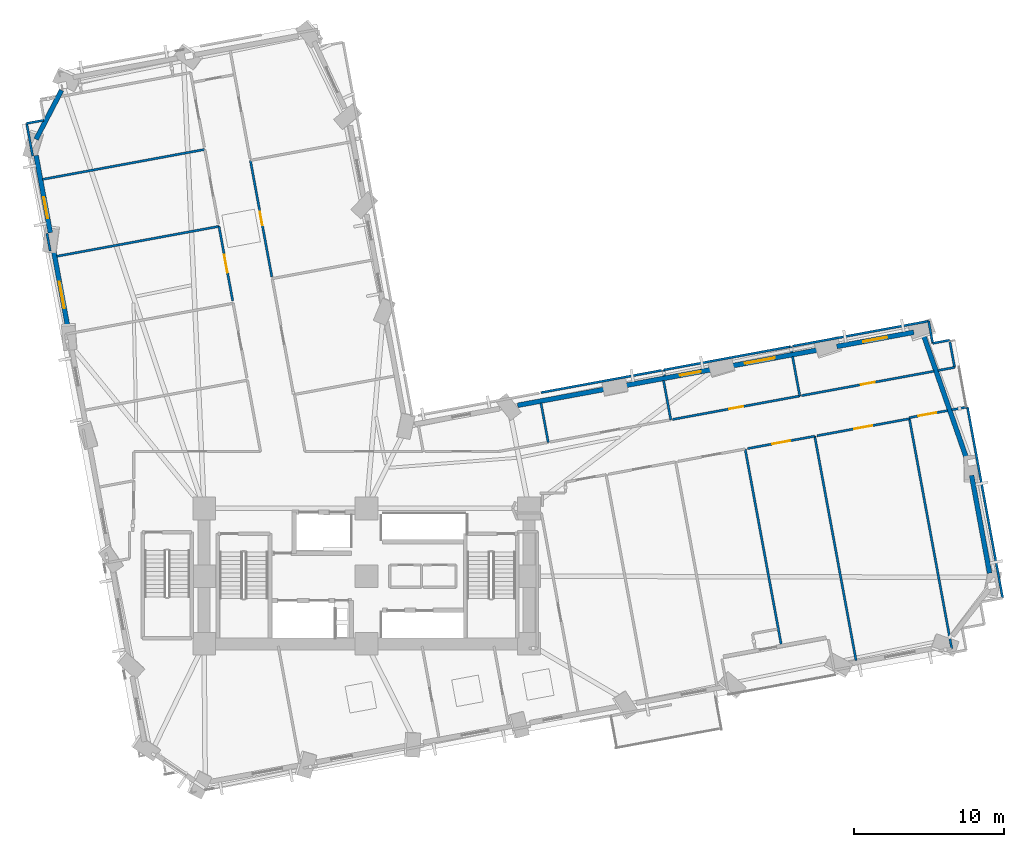
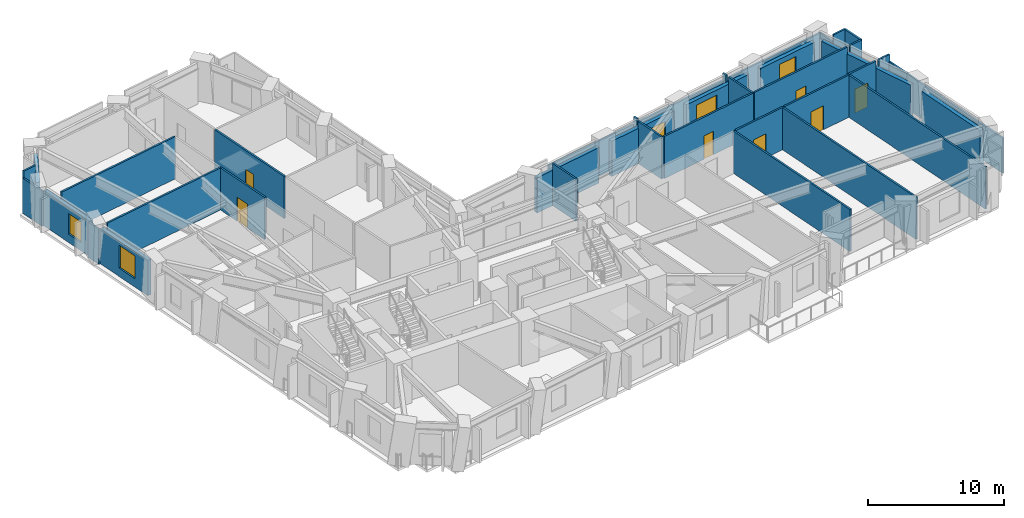
# One storey, part 10 of 16: 38 walls, 7 doors, 5 windows, 12 openings.
"""IFC4 building model written with IfcOpenShell, lengths in metres."""

from ifc_helpers import new_model, si_unit, direction, frame, frame_2d, origin, place, context, subcontext, project, spatial, rectangle, extrude, material, layer, layer_set, type_object, element, fill, save


model = new_model("IFC4")

# Units and contexts
model_context = context("Model", 3, precision=1e-05, world=origin(), true_north=direction((0.0, 1.0)))
body_context = subcontext(model_context, "Body", "Model", "MODEL_VIEW")
ifc_project = project(units=[si_unit("LENGTHUNIT", "METRE"), si_unit("AREAUNIT", "SQUARE_METRE"), si_unit("VOLUMEUNIT", "CUBIC_METRE"), si_unit("PLANEANGLEUNIT", "RADIAN"), si_unit("MASSUNIT", "GRAM", prefix="KILO")], contexts=[model_context])

# Site, building, storey
site_placement = place(None, origin())
site = spatial("IfcSite", under=ifc_project, at=site_placement, CompositionType="ELEMENT")
building_placement = place(site_placement, origin())
building = spatial("IfcBuilding", under=site, at=building_placement, Name="Gaonmaruhae Medical Tower", CompositionType="ELEMENT")
storey_placement = place(building_placement, frame((0.0, 0.0, 67.0)))
storey = spatial("IfcBuildingStorey", under=building, at=storey_placement, Name="L15", CompositionType="ELEMENT", Elevation=67.0)

# Walls
ifc_material_1 = material(Name="Precast concrete C45/55", Category="concrete")
ifc_layer_1 = layer(ifc_material_1, 0.320068359375)
ifc_layer_set_1 = layer_set([ifc_layer_1], Name="Precast concrete C45/55")
wall_type_1 = type_object("IfcWallType", Name="EW-320 Lower Precast Masonry-Frame Facade Wall", PredefinedType="SOLIDWALL", material=ifc_layer_set_1)
wall_1_placement = place(storey_placement, frame((65.023193359375, 19.000244140625, 0.0), z_axis=(0.0, 0.0, 1.0), x_axis=(0.181377690028, -0.983413510971, 0.0)))
element("IfcWall", 1, at=wall_1_placement, inside=storey, type_object=wall_type_1, Name="L15 Precast Masonry-Frame Wall E01-E02", PredefinedType="SOLIDWALL", context=body_context, shape_type="SweptSolid", body=[
    extrude(rectangle(XDim=6.6103515625, YDim=0.320068359375, at=frame_2d((3.30517578125, 0.0))), origin(), (0.0, 0.0, 1.0), 3.1650390625),
])
wall_2_placement = place(storey_placement, frame((61.848388671875, 28.260009765625, 0.0), z_axis=(0.0, 0.0, 1.0), x_axis=(0.329546090906, -0.944139488618, 0.0)))
element("IfcWall", 2, at=wall_2_placement, inside=storey, type_object=wall_type_1, Name="L15 Precast Masonry-Frame Wall E02-E03", PredefinedType="SOLIDWALL", context=body_context, shape_type="SweptSolid", body=[
    extrude(rectangle(XDim=8.61376953125, YDim=0.320068359375, at=frame_2d((4.306884765625, 0.0))), origin(), (0.0, 0.0, 1.0), 3.1650390625),
])

# Wall, opening, window
wall_3_placement = place(storey_placement, frame((56.059814453125, 27.569580078125, 0.0), z_axis=(0.0, 0.0, 1.0), x_axis=(0.983413832145, 0.181375948644, 0.0)))
wall_3 = element("IfcWall", 3, at=wall_3_placement, inside=storey, type_object=wall_type_1, Name="L15 Precast Masonry-Frame Wall E03-EN01", PredefinedType="SOLIDWALL", context=body_context, shape_type="SweptSolid", body=[
    extrude(rectangle(XDim=5.209228515625, YDim=0.320068359375, at=frame_2d((2.6044921875, 0.0))), origin(), (0.0, 0.0, 1.0), 3.1650390625),
])
opening_1_placement = place(wall_3_placement, frame((1.800048828125, 0.0, 0.75)))
opening_1 = element("IfcOpeningElement", 4, at=opening_1_placement, cuts=wall_3, Name="Opening WN-01", PredefinedType="OPENING", context=body_context, shape_type="SweptSolid", body=[
    extrude(rectangle(XDim=1.60009765625, YDim=1.949951171875, at=frame_2d((0.800048828125, 0.97509765625))), frame((0.0, 0.169921875, 0.0), z_axis=(0.0, -1.0, 0.0), x_axis=(1.0, 0.0, 0.0)), (0.0, 0.0, 1.0), 0.340087890625),
])
ifc_material_2 = material(Name="Anodised aluminium and Low-E double glazing", Category="aluminium")
window_type_1 = type_object("IfcWindowType", Name="WN-01 Ward Punched Acoustic Window 1600x1950", PartitioningType="SINGLE_PANEL", PredefinedType="WINDOW", material=ifc_material_2)
window_1_placement = place(opening_1_placement, origin())
window_1 = element("IfcWindow", 5, at=window_1_placement, inside=storey, type_object=window_type_1, Name="L15 Modular Facade Window E03", OverallHeight=1.949951171875, OverallWidth=1.60009765625, PartitioningType="SINGLE_PANEL", PredefinedType="WINDOW", context=body_context, shape_type="SweptSolid", body=[
    extrude(rectangle(XDim=1.60009765625, YDim=1.949951171875, at=frame_2d((0.800048828125, 0.97509765625))), frame((0.0, 0.030029296875, 0.0), z_axis=(0.0, -1.0, 0.0), x_axis=(1.0, 0.0, 0.0)), (0.0, 0.0, 1.0), 0.06005859375),
])
fill(opening_1, window_1)

wall_4_placement = place(storey_placement, frame((48.994873046875, 26.2666015625, 0.0), z_axis=(0.0, 0.0, 1.0), x_axis=(0.983410218869, 0.1813955386, 0.0)))
wall_4 = element("IfcWall", 6, at=wall_4_placement, inside=storey, type_object=wall_type_1, Name="L15 Precast Masonry-Frame Wall EN01-EN02", PredefinedType="SOLIDWALL", context=body_context, shape_type="SweptSolid", body=[
    extrude(rectangle(XDim=6.024169921875, YDim=0.320068359375, at=frame_2d((3.01220703125, 0.0))), origin(), (0.0, 0.0, 1.0), 3.1650390625),
])
opening_2_placement = place(wall_4_placement, frame((0.98291015625, 0.0, 0.75)))
opening_2 = element("IfcOpeningElement", 7, at=opening_2_placement, cuts=wall_4, Name="Opening WN-02", PredefinedType="OPENING", context=body_context, shape_type="SweptSolid", body=[
    extrude(rectangle(XDim=2.0, YDim=1.949951171875, at=frame_2d((1.0, 0.97509765625))), frame((0.0, 0.169921875, 0.0), z_axis=(0.0, -1.0, 0.0), x_axis=(1.0, 0.0, 0.0)), (0.0, 0.0, 1.0), 0.340087890625),
])
window_type_2 = type_object("IfcWindowType", Name="WN-02 Double-Bed Ward Punched Window 2000x1950", PartitioningType="SINGLE_PANEL", PredefinedType="WINDOW", material=ifc_material_2)
window_2_placement = place(opening_2_placement, origin())
window_2 = element("IfcWindow", 8, at=window_2_placement, inside=storey, type_object=window_type_2, Name="L15 Modular Facade Window EN01", OverallHeight=1.949951171875, OverallWidth=2.0, PartitioningType="SINGLE_PANEL", PredefinedType="WINDOW", context=body_context, shape_type="SweptSolid", body=[
    extrude(rectangle(XDim=2.0, YDim=1.949951171875, at=frame_2d((1.0, 0.97509765625))), frame((0.0, 0.030029296875, 0.0), z_axis=(0.0, -1.0, 0.0), x_axis=(1.0, 0.0, 0.0)), (0.0, 0.0, 1.0), 0.06005859375),
])
fill(opening_2, window_2)

wall_5_placement = place(storey_placement, frame((41.923828125, 24.96240234375, 0.0), z_axis=(0.0, 0.0, 1.0), x_axis=(0.983415582056, 0.181366460431, 0.0)))
wall_5 = element("IfcWall", 9, at=wall_5_placement, inside=storey, type_object=wall_type_1, Name="L15 Precast Masonry-Frame Wall EN02-EN03", PredefinedType="SOLIDWALL", context=body_context, shape_type="SweptSolid", body=[
    extrude(rectangle(XDim=5.999755859375, YDim=0.320068359375, at=frame_2d((3.0, 0.0))), origin(), (0.0, 0.0, 1.0), 3.1650390625),
])
opening_3_placement = place(wall_5_placement, frame((3.782470703125, 0.0, 0.75)))
opening_3 = element("IfcOpeningElement", 10, at=opening_3_placement, cuts=wall_5, Name="Opening WN-03", PredefinedType="OPENING", context=body_context, shape_type="SweptSolid", body=[
    extrude(rectangle(XDim=1.39990234375, YDim=1.85009765625, at=frame_2d((0.699951171875, 0.925048828125))), frame((0.0, 0.169921875, 0.0), z_axis=(0.0, -1.0, 0.0), x_axis=(1.0, 0.0, 0.0)), (0.0, 0.0, 1.0), 0.340087890625),
])
window_type_3 = type_object("IfcWindowType", Name="WN-03 Isolation Ward Punched Window 1400x1850", PartitioningType="SINGLE_PANEL", PredefinedType="WINDOW", material=ifc_material_2)
window_3_placement = place(opening_3_placement, origin())
window_3 = element("IfcWindow", 11, at=window_3_placement, inside=storey, type_object=window_type_3, Name="L15 Modular Facade Window EN02", OverallHeight=1.85009765625, OverallWidth=1.39990234375, PartitioningType="SINGLE_PANEL", PredefinedType="WINDOW", context=body_context, shape_type="SweptSolid", body=[
    extrude(rectangle(XDim=1.39990234375, YDim=1.85009765625, at=frame_2d((0.699951171875, 0.925048828125))), frame((0.0, 0.030029296875, 0.0), z_axis=(0.0, -1.0, 0.0), x_axis=(1.0, 0.0, 0.0)), (0.0, 0.0, 1.0), 0.06005859375),
])
fill(opening_3, window_3)

# Walls
wall_6_placement = place(storey_placement, frame((34.846923828125, 23.6572265625, 0.0), z_axis=(0.0, 0.0, 1.0), x_axis=(0.983412631361, 0.181382459127, 0.0)))
element("IfcWall", 12, at=wall_6_placement, inside=storey, type_object=wall_type_1, Name="L15 Precast Masonry-Frame Wall EN03-EN04", PredefinedType="SOLIDWALL", context=body_context, shape_type="SweptSolid", body=[
    extrude(rectangle(XDim=5.987060546875, YDim=0.320068359375, at=frame_2d((2.99365234375, 0.0))), origin(), (0.0, 0.0, 1.0), 3.1650390625),
])
wall_7_placement = place(storey_placement, frame((2.83447265625, 41.34521484375, 0.0), z_axis=(0.0, 0.0, 1.0), x_axis=(0.461354833391, 0.887215710922, 0.0)))
element("IfcWall", 13, at=wall_7_placement, inside=storey, type_object=wall_type_1, Name="L15 Precast Masonry-Frame Wall N03-W01", PredefinedType="SOLIDWALL", context=body_context, shape_type="SweptSolid", body=[
    extrude(rectangle(XDim=3.666259765625, YDim=0.320068359375, at=frame_2d((1.8330078125, 0.0))), origin(), (0.0, 0.0, 1.0), 3.1650390625),
])

# Wall, opening, window
wall_8_placement = place(storey_placement, frame((3.781982421875, 35.12939453125, 0.0), z_axis=(0.0, 0.0, 1.0), x_axis=(-0.181361105111, 0.983416569696, 0.0)))
wall_8 = element("IfcWall", 14, at=wall_8_placement, inside=storey, type_object=wall_type_1, Name="L15 Precast Masonry-Frame Wall W01-W02", PredefinedType="SOLIDWALL", context=body_context, shape_type="SweptSolid", body=[
    extrude(rectangle(XDim=5.22314453125, YDim=0.320068359375, at=frame_2d((2.611572265625, 0.0))), origin(), (0.0, 0.0, 1.0), 3.1650390625),
])
opening_4_placement = place(wall_8_placement, frame((0.989501953125, 0.0, 0.75)))
opening_4 = element("IfcOpeningElement", 15, at=opening_4_placement, cuts=wall_8, Name="Opening WN-03", PredefinedType="OPENING", context=body_context, shape_type="SweptSolid", body=[
    extrude(rectangle(XDim=1.39990234375, YDim=1.85009765625, at=frame_2d((0.699951171875, 0.925048828125))), frame((0.0, 0.169921875, 0.0), z_axis=(0.0, -1.0, 0.0), x_axis=(1.0, 0.0, 0.0)), (0.0, 0.0, 1.0), 0.340087890625),
])
window_4_placement = place(opening_4_placement, origin())
window_4 = element("IfcWindow", 16, at=window_4_placement, inside=storey, type_object=window_type_3, Name="L15 Modular Facade Window W01", OverallHeight=1.85009765625, OverallWidth=1.39990234375, PartitioningType="SINGLE_PANEL", PredefinedType="WINDOW", context=body_context, shape_type="SweptSolid", body=[
    extrude(rectangle(XDim=1.39990234375, YDim=1.85009765625, at=frame_2d((0.699951171875, 0.925048828125))), frame((0.0, 0.030029296875, 0.0), z_axis=(0.0, -1.0, 0.0), x_axis=(1.0, 0.0, 0.0)), (0.0, 0.0, 1.0), 0.06005859375),
])
fill(opening_4, window_4)

wall_9_placement = place(storey_placement, frame((4.977294921875, 28.648193359375, 0.0), z_axis=(0.0, 0.0, 1.0), x_axis=(-0.181375294382, 0.983413952813, 0.0)))
wall_9 = element("IfcWall", 17, at=wall_9_placement, inside=storey, type_object=wall_type_1, Name="L15 Precast Masonry-Frame Wall W02-W03", PredefinedType="SOLIDWALL", context=body_context, shape_type="SweptSolid", body=[
    extrude(rectangle(XDim=5.400390625, YDim=0.320068359375, at=frame_2d((2.7001953125, 0.0))), origin(), (0.0, 0.0, 1.0), 3.1650390625),
])
opening_5_placement = place(wall_9_placement, frame((1.48291015625, 0.0, 0.75)))
opening_5 = element("IfcOpeningElement", 18, at=opening_5_placement, cuts=wall_9, Name="Opening WN-04", PredefinedType="OPENING", context=body_context, shape_type="SweptSolid", body=[
    extrude(rectangle(XDim=1.800048828125, YDim=2.050048828125, at=frame_2d((0.89990234375, 1.02490234375))), frame((0.0, 0.169921875, 0.0), z_axis=(0.0, -1.0, 0.0), x_axis=(1.0, 0.0, 0.0)), (0.0, 0.0, 1.0), 0.340087890625),
])
window_type_4 = type_object("IfcWindowType", Name="WN-04 Clinic & Consult Punched Window 1800x2050", PartitioningType="SINGLE_PANEL", PredefinedType="WINDOW", material=ifc_material_2)
window_5_placement = place(opening_5_placement, origin())
window_5 = element("IfcWindow", 19, at=window_5_placement, inside=storey, type_object=window_type_4, Name="L15 Modular Facade Window W02", OverallHeight=2.050048828125, OverallWidth=1.800048828125, PartitioningType="SINGLE_PANEL", PredefinedType="WINDOW", context=body_context, shape_type="SweptSolid", body=[
    extrude(rectangle(XDim=1.800048828125, YDim=2.050048828125, at=frame_2d((0.89990234375, 1.02490234375))), frame((0.0, 0.030029296875, 0.0), z_axis=(0.0, -1.0, 0.0), x_axis=(1.0, 0.0, 0.0)), (0.0, 0.0, 1.0), 0.06005859375),
])
fill(opening_5, window_5)

# Wall
ifc_material_3 = material(Name="Gypsum board partition", Category="gypsum")
ifc_layer_2 = layer(ifc_material_3, 0.14990234375)
ifc_layer_set_2 = layer_set([ifc_layer_2], Name="Gypsum board partition")
wall_type_2 = type_object("IfcWallType", Name="PW-150 Rated Clinical Corridor Partition", PredefinedType="PARTITIONING", material=ifc_layer_set_2)
wall_10_placement = place(storey_placement, frame((49.970947265625, 20.751953125, 0.0), z_axis=(0.0, 0.0, 1.0), x_axis=(0.181310546622, -0.983425892319, 0.0)))
element("IfcWall", 20, at=wall_10_placement, inside=storey, type_object=wall_type_2, Name="L15 Interior Partition L15-SUP09-32", PredefinedType="PARTITIONING", context=body_context, shape_type="SweptSolid", body=[
    extrude(rectangle(XDim=13.21484375, YDim=0.14990234375, at=frame_2d((6.607421875, 0.0))), origin(), (0.0, 0.0, 1.0), 3.780029296875),
])

# Wall, opening, door
wall_11_placement = place(storey_placement, frame((50.1279296875, 20.781005859375, 0.0), z_axis=(0.0, 0.0, 1.0), x_axis=(0.983395912318, 0.181473082403, 0.0)))
wall_11 = element("IfcWall", 21, at=wall_11_placement, inside=storey, type_object=wall_type_2, Name="L15 Interior Partition L15-SUP10-36", PredefinedType="PARTITIONING", context=body_context, shape_type="SweptSolid", body=[
    extrude(rectangle(XDim=4.54052734375, YDim=0.14990234375, at=frame_2d((2.270263671875, 0.0))), origin(), (0.0, 0.0, 1.0), 3.780029296875),
])
opening_6_placement = place(wall_11_placement, frame((1.670166015625, 0.0, 0.0)))
opening_6 = element("IfcOpeningElement", 22, at=opening_6_placement, cuts=wall_11, Name="Opening CD-02", PredefinedType="OPENING", context=body_context, shape_type="SweptSolid", body=[
    extrude(rectangle(XDim=1.199951171875, YDim=2.14990234375, at=frame_2d((0.60009765625, 1.074951171875))), frame((0.0, 0.0849609375, 0.0), z_axis=(0.0, -1.0, 0.0), x_axis=(1.0, 0.0, 0.0)), (0.0, 0.0, 1.0), 0.169921875),
])
ifc_material_4 = material(Name="Antimicrobial laminate timber fire door", Category="wood")
door_type_1 = type_object("IfcDoorType", Name="CD-02 Clinical Treatment & Procedure Door 1200x2150", OperationType="NOTDEFINED", PredefinedType="DOOR", material=ifc_material_4)
door_1_placement = place(opening_6_placement, origin())
door_1 = element("IfcDoor", 23, at=door_1_placement, inside=storey, type_object=door_type_1, Name="L15 Clinical Biomedical Charting Office Door", OperationType="SINGLE_SWING_RIGHT", OverallHeight=2.14990234375, OverallWidth=1.199951171875, PredefinedType="DOOR", context=body_context, shape_type="SweptSolid", body=[
    extrude(rectangle(XDim=1.199951171875, YDim=2.14990234375, at=frame_2d((0.60009765625, 1.074951171875))), frame((0.0, 0.02490234375, 0.0), z_axis=(0.0, -1.0, 0.0), x_axis=(1.0, 0.0, 0.0)), (0.0, 0.0, 1.0), 0.050048828125),
])
fill(opening_6, door_1)

# Wall
wall_12_placement = place(storey_placement, frame((54.593017578125, 21.60498046875, 0.0), z_axis=(0.0, 0.0, 1.0), x_axis=(0.181395153652, -0.983410289875, 0.0)))
element("IfcWall", 24, at=wall_12_placement, inside=storey, type_object=wall_type_2, Name="L15 Interior Partition L15-SUP10-37", PredefinedType="PARTITIONING", context=body_context, shape_type="SweptSolid", body=[
    extrude(rectangle(XDim=15.165771484375, YDim=0.14990234375, at=frame_2d((7.5830078125, 0.0))), origin(), (0.0, 0.0, 1.0), 3.780029296875),
])

# Wall, opening, door
wall_13_placement = place(storey_placement, frame((54.75, 21.634033203125, 0.0), z_axis=(0.0, 0.0, 1.0), x_axis=(0.983442731357, 0.181219188115, 0.0)))
wall_13 = element("IfcWall", 25, at=wall_13_placement, inside=storey, type_object=wall_type_2, Name="L15 Interior Partition L15-SUP11-40", PredefinedType="PARTITIONING", context=body_context, shape_type="SweptSolid", body=[
    extrude(rectangle(XDim=6.240234375, YDim=0.14990234375, at=frame_2d((3.1201171875, 0.0))), origin(), (0.0, 0.0, 1.0), 3.780029296875),
])
opening_7_placement = place(wall_13_placement, frame((2.520263671875, 0.0, 0.0)))
opening_7 = element("IfcOpeningElement", 26, at=opening_7_placement, cuts=wall_13, Name="Opening CD-02", PredefinedType="OPENING", context=body_context, shape_type="SweptSolid", body=[
    extrude(rectangle(XDim=1.199951171875, YDim=2.14990234375, at=frame_2d((0.60009765625, 1.074951171875))), frame((0.0, 0.0849609375, 0.0), z_axis=(0.0, -1.0, 0.0), x_axis=(1.0, 0.0, 0.0)), (0.0, 0.0, 1.0), 0.169921875),
])
door_2_placement = place(opening_7_placement, origin())
door_2 = element("IfcDoor", 27, at=door_2_placement, inside=storey, type_object=door_type_1, Name="L15 Clinical Biomedical Charting Office Door", OperationType="SINGLE_SWING_LEFT", OverallHeight=2.14990234375, OverallWidth=1.199951171875, PredefinedType="DOOR", context=body_context, shape_type="SweptSolid", body=[
    extrude(rectangle(XDim=1.199951171875, YDim=2.14990234375, at=frame_2d((0.60009765625, 1.074951171875))), frame((0.0, 0.02490234375, 0.0), z_axis=(0.0, -1.0, 0.0), x_axis=(1.0, 0.0, 0.0)), (0.0, 0.0, 1.0), 0.050048828125),
])
fill(opening_7, door_2)

# Walls
wall_14_placement = place(storey_placement, frame((60.886962890625, 22.764892578125, 0.0), z_axis=(0.0, 0.0, 1.0), x_axis=(0.181328083702, -0.983422658912, 0.0)))
element("IfcWall", 28, at=wall_14_placement, inside=storey, type_object=wall_type_2, Name="L15 Interior Partition L15-SUP11-41", PredefinedType="PARTITIONING", context=body_context, shape_type="SweptSolid", body=[
    extrude(rectangle(XDim=15.529296875, YDim=0.14990234375, at=frame_2d((7.7646484375, 0.0))), origin(), (0.0, 0.0, 1.0), 3.780029296875),
])
wall_15_placement = place(storey_placement, frame((4.2080078125, 33.56396484375, 0.0), z_axis=(0.0, 0.0, 1.0), x_axis=(0.983409627974, 0.181398742027, 0.0)))
element("IfcWall", 29, at=wall_15_placement, inside=storey, type_object=wall_type_2, Name="L15 Interior Partition L15-WOF15-57", PredefinedType="PARTITIONING", context=body_context, shape_type="SweptSolid", body=[
    extrude(rectangle(XDim=10.96484375, YDim=0.14990234375, at=frame_2d((5.482421875, 0.0))), origin(), (0.0, 0.0, 1.0), 3.780029296875),
])

# Wall, opening, door
wall_16_placement = place(storey_placement, frame((14.990966796875, 35.552978515625, 0.0), z_axis=(0.0, 0.0, 1.0), x_axis=(0.181374501804, -0.983414098992, 0.0)))
wall_16 = element("IfcWall", 30, at=wall_16_placement, inside=storey, type_object=wall_type_2, Name="L15 Interior Partition L15-WOF15-58", PredefinedType="PARTITIONING", context=body_context, shape_type="SweptSolid", body=[
    extrude(rectangle(XDim=5.03955078125, YDim=0.14990234375, at=frame_2d((2.519775390625, 0.0))), origin(), (0.0, 0.0, 1.0), 3.780029296875),
])
opening_8_placement = place(wall_16_placement, frame((1.919921875, 0.0, 0.0)))
opening_8 = element("IfcOpeningElement", 31, at=opening_8_placement, cuts=wall_16, Name="Opening CD-02", PredefinedType="OPENING", context=body_context, shape_type="SweptSolid", body=[
    extrude(rectangle(XDim=1.199951171875, YDim=2.14990234375, at=frame_2d((0.60009765625, 1.074951171875))), frame((0.0, 0.0849609375, 0.0), z_axis=(0.0, -1.0, 0.0), x_axis=(1.0, 0.0, 0.0)), (0.0, 0.0, 1.0), 0.169921875),
])
door_3_placement = place(opening_8_placement, origin())
door_3 = element("IfcDoor", 32, at=door_3_placement, inside=storey, type_object=door_type_1, Name="L15 Ward Physician Reporting Office Door", OperationType="SINGLE_SWING_RIGHT", OverallHeight=2.14990234375, OverallWidth=1.199951171875, PredefinedType="DOOR", context=body_context, shape_type="SweptSolid", body=[
    extrude(rectangle(XDim=1.199951171875, YDim=2.14990234375, at=frame_2d((0.60009765625, 1.074951171875))), frame((0.0, 0.02490234375, 0.0), z_axis=(0.0, -1.0, 0.0), x_axis=(1.0, 0.0, 0.0)), (0.0, 0.0, 1.0), 0.050048828125),
])
fill(opening_8, door_3)

# Walls
wall_17_placement = place(storey_placement, frame((3.264892578125, 38.677978515625, 0.0), z_axis=(0.0, 0.0, 1.0), x_axis=(0.983410360614, 0.181394770149, 0.0)))
element("IfcWall", 33, at=wall_17_placement, inside=storey, type_object=wall_type_2, Name="L15 Interior Partition L15-WOF16-59", PredefinedType="PARTITIONING", context=body_context, shape_type="SweptSolid", body=[
    extrude(rectangle(XDim=10.965087890625, YDim=0.14990234375, at=frame_2d((5.482421875, 0.0))), origin(), (0.0, 0.0, 1.0), 3.780029296875),
])
wall_18_placement = place(storey_placement, frame((3.77197265625, 33.9169921875, 0.0), z_axis=(0.0, 0.0, 1.0), x_axis=(-0.181465113393, 0.983397382863, 0.0)))
element("IfcWall", 34, at=wall_18_placement, inside=storey, type_object=wall_type_2, Name="L15 Interior Partition L15-WOF16-61", PredefinedType="PARTITIONING", context=body_context, shape_type="SweptSolid", body=[
    extrude(rectangle(XDim=1.190673828125, YDim=0.14990234375, at=frame_2d((0.59521484375, 0.0))), origin(), (0.0, 0.0, 1.0), 3.1650390625),
])
wall_19_placement = place(storey_placement, frame((2.60791015625, 40.22412109375, 0.0), z_axis=(0.0, 0.0, 1.0), x_axis=(-0.181353581065, 0.983417957247, 0.0)))
element("IfcWall", 35, at=wall_19_placement, inside=storey, type_object=wall_type_2, Name="L15 Interior Partition L15-WOF17-65", PredefinedType="PARTITIONING", context=body_context, shape_type="SweptSolid", body=[
    extrude(rectangle(XDim=2.21044921875, YDim=0.14990234375, at=frame_2d((1.105224609375, 0.0))), origin(), (0.0, 0.0, 1.0), 3.1650390625),
])
wall_20_placement = place(storey_placement, frame((2.20703125, 42.39794921875, 0.0), z_axis=(0.0, 0.0, 1.0), x_axis=(0.98350093873, 0.180903022409, 0.0)))
element("IfcWall", 36, at=wall_20_placement, inside=storey, type_object=wall_type_2, Name="L15 Interior Partition L15-WOF17-66", PredefinedType="PARTITIONING", context=body_context, shape_type="SweptSolid", body=[
    extrude(rectangle(XDim=1.14990234375, YDim=0.14990234375, at=frame_2d((0.574951171875, 0.0))), origin(), (0.0, 0.0, 1.0), 3.780029296875),
])
wall_21_placement = place(storey_placement, frame((36.39794921875, 23.805908203125, 0.0), z_axis=(0.0, 0.0, 1.0), x_axis=(0.181522853733, -0.983386726356, 0.0)))
element("IfcWall", 37, at=wall_21_placement, inside=storey, type_object=wall_type_2, Name="L15 Interior Partition L15-IE02-74", PredefinedType="PARTITIONING", context=body_context, shape_type="SweptSolid", body=[
    extrude(rectangle(XDim=2.655029296875, YDim=0.14990234375, at=frame_2d((1.32763671875, 0.0))), origin(), (0.0, 0.0, 1.0), 3.780029296875),
])
wall_22_placement = place(storey_placement, frame((36.39208984375, 24.501953125, 0.0), z_axis=(0.0, 0.0, 1.0), x_axis=(0.983431589645, 0.181279641684, 0.0)))
element("IfcWall", 38, at=wall_22_placement, inside=storey, type_object=wall_type_2, Name="L15 Interior Partition L15-IE03-78", PredefinedType="PARTITIONING", context=body_context, shape_type="SweptSolid", body=[
    extrude(rectangle(XDim=8.1640625, YDim=0.14990234375, at=frame_2d((4.08203125, 0.0))), origin(), (0.0, 0.0, 1.0), 3.1650390625),
])
wall_23_placement = place(storey_placement, frame((44.544921875, 25.30908203125, 0.0), z_axis=(0.0, 0.0, 1.0), x_axis=(0.181595357351, -0.983373340186, 0.0)))
element("IfcWall", 39, at=wall_23_placement, inside=storey, type_object=wall_type_2, Name="L15 Interior Partition L15-IE03-79", PredefinedType="PARTITIONING", context=body_context, shape_type="SweptSolid", body=[
    extrude(rectangle(XDim=2.6552734375, YDim=0.14990234375, at=frame_2d((1.32763671875, 0.0))), origin(), (0.0, 0.0, 1.0), 3.780029296875),
])

# Wall, opening, door
wall_24_placement = place(storey_placement, frame((53.60205078125, 24.279052734375, 0.0), z_axis=(0.0, 0.0, 1.0), x_axis=(-0.983407902238, -0.181408097439, 0.0)))
wall_24 = element("IfcWall", 40, at=wall_24_placement, inside=storey, type_object=wall_type_2, Name="L15 Interior Partition L15-IE04-80", PredefinedType="PARTITIONING", context=body_context, shape_type="SweptSolid", body=[
    extrude(rectangle(XDim=8.599609375, YDim=0.14990234375, at=frame_2d((4.2998046875, 0.0))), origin(), (0.0, 0.0, 1.0), 3.780029296875),
])
opening_9_placement = place(wall_24_placement, frame((3.83984375, 0.0, 0.0)))
opening_9 = element("IfcOpeningElement", 41, at=opening_9_placement, cuts=wall_24, Name="Opening UD-01", PredefinedType="OPENING", context=body_context, shape_type="SweptSolid", body=[
    extrude(rectangle(XDim=0.919921875, YDim=2.10009765625, at=frame_2d((0.4599609375, 1.050048828125))), frame((0.0, 0.0849609375, 0.0), z_axis=(0.0, -1.0, 0.0), x_axis=(1.0, 0.0, 0.0)), (0.0, 0.0, 1.0), 0.169921875),
])
ifc_material_5 = material(Name="Powder-coated steel utility door", Category="steel")
door_type_2 = type_object("IfcDoorType", Name="UD-01 Toilet, Utility & Housekeeping Door 920x2100", OperationType="NOTDEFINED", PredefinedType="DOOR", material=ifc_material_5)
door_4_placement = place(opening_9_placement, origin())
door_4 = element("IfcDoor", 42, at=door_4_placement, inside=storey, type_object=door_type_2, Name="L15 Accessible Public Toilet Door", OperationType="SINGLE_SWING_RIGHT", OverallHeight=2.10009765625, OverallWidth=0.919921875, PredefinedType="DOOR", context=body_context, shape_type="SweptSolid", body=[
    extrude(rectangle(XDim=0.919921875, YDim=2.10009765625, at=frame_2d((0.4599609375, 1.050048828125))), frame((0.0, 0.02490234375, 0.0), z_axis=(0.0, -1.0, 0.0), x_axis=(1.0, 0.0, 0.0)), (0.0, 0.0, 1.0), 0.050048828125),
])
fill(opening_9, door_4)

# Walls
wall_25_placement = place(storey_placement, frame((44.614013671875, 25.595947265625, 0.0), z_axis=(0.0, 0.0, 1.0), x_axis=(-0.180698000463, 0.983538627929, 0.0)))
element("IfcWall", 43, at=wall_25_placement, inside=storey, type_object=wall_type_2, Name="L15 Interior Partition L15-IE04-81", PredefinedType="PARTITIONING", context=body_context, shape_type="SweptSolid", body=[
    extrude(rectangle(XDim=0.414794921875, YDim=0.14990234375, at=frame_2d((0.20751953125, 0.0))), origin(), (0.0, 0.0, 1.0), 3.780029296875),
])
wall_26_placement = place(storey_placement, frame((44.5390625, 26.00390625, 0.0), z_axis=(0.0, 0.0, 1.0), x_axis=(0.983407902238, 0.181408097439, 0.0)))
element("IfcWall", 44, at=wall_26_placement, inside=storey, type_object=wall_type_2, Name="L15 Interior Partition L15-IE04-82", PredefinedType="PARTITIONING", context=body_context, shape_type="SweptSolid", body=[
    extrude(rectangle(XDim=8.599609375, YDim=0.14990234375, at=frame_2d((4.2998046875, 0.0))), origin(), (0.0, 0.0, 1.0), 3.1650390625),
])
wall_27_placement = place(storey_placement, frame((52.99609375, 27.56396484375, 0.0), z_axis=(0.0, 0.0, 1.0), x_axis=(0.180698000463, -0.983538627929, 0.0)))
element("IfcWall", 45, at=wall_27_placement, inside=storey, type_object=wall_type_2, Name="L15 Interior Partition L15-IE04-83", PredefinedType="PARTITIONING", context=body_context, shape_type="SweptSolid", body=[
    extrude(rectangle(XDim=0.414794921875, YDim=0.14990234375, at=frame_2d((0.20751953125, 0.0))), origin(), (0.0, 0.0, 1.0), 3.780029296875),
])
wall_28_placement = place(storey_placement, frame((53.1201171875, 26.889892578125, 0.0), z_axis=(0.0, 0.0, 1.0), x_axis=(0.181522853733, -0.983386726356, 0.0)))
element("IfcWall", 46, at=wall_28_placement, inside=storey, type_object=wall_type_2, Name="L15 Interior Partition L15-IE04-84", PredefinedType="PARTITIONING", context=body_context, shape_type="SweptSolid", body=[
    extrude(rectangle(XDim=2.655029296875, YDim=0.14990234375, at=frame_2d((1.32763671875, 0.0))), origin(), (0.0, 0.0, 1.0), 3.780029296875),
])
wall_29_placement = place(storey_placement, frame((62.43798828125, 27.780029296875, 0.0), z_axis=(0.0, 0.0, 1.0), x_axis=(0.983372768072, 0.181598455428, 0.0)))
element("IfcWall", 47, at=wall_29_placement, inside=storey, type_object=wall_type_2, Name="L15 Interior Partition L15-IE05-85", PredefinedType="PARTITIONING", context=body_context, shape_type="SweptSolid", body=[
    extrude(rectangle(XDim=1.14013671875, YDim=0.14990234375, at=frame_2d((0.570068359375, 0.0))), origin(), (0.0, 0.0, 1.0), 3.780029296875),
])
wall_30_placement = place(storey_placement, frame((63.55908203125, 27.987060546875, 0.0), z_axis=(0.0, 0.0, 1.0), x_axis=(0.181452756796, -0.98339966293, 0.0)))
element("IfcWall", 48, at=wall_30_placement, inside=storey, type_object=wall_type_2, Name="L15 Interior Partition L15-IE05-86", PredefinedType="PARTITIONING", context=body_context, shape_type="SweptSolid", body=[
    extrude(rectangle(XDim=1.840576171875, YDim=0.14990234375, at=frame_2d((0.92041015625, 0.0))), origin(), (0.0, 0.0, 1.0), 3.780029296875),
])
wall_31_placement = place(storey_placement, frame((63.89306640625, 26.177001953125, 0.0), z_axis=(0.0, 0.0, 1.0), x_axis=(-0.983336757106, -0.181793350053, 0.0)))
element("IfcWall", 49, at=wall_31_placement, inside=storey, type_object=wall_type_2, Name="L15 Interior Partition L15-IE05-87", PredefinedType="PARTITIONING", context=body_context, shape_type="SweptSolid", body=[
    extrude(rectangle(XDim=1.122802734375, YDim=0.14990234375, at=frame_2d((0.5615234375, 0.0))), origin(), (0.0, 0.0, 1.0), 3.780029296875),
])

# Wall, opening, door
wall_32_placement = place(storey_placement, frame((62.52099609375, 25.924072265625, 0.0), z_axis=(0.0, 0.0, 1.0), x_axis=(-0.983417228319, -0.181357533742, 0.0)))
wall_32 = element("IfcWall", 50, at=wall_32_placement, inside=storey, type_object=wall_type_2, Name="L15 Interior Partition L15-IE05-88", PredefinedType="PARTITIONING", context=body_context, shape_type="SweptSolid", body=[
    extrude(rectangle(XDim=8.949462890625, YDim=0.14990234375, at=frame_2d((4.474609375, 0.0))), origin(), (0.0, 0.0, 1.0), 3.780029296875),
])
opening_10_placement = place(wall_32_placement, frame((4.0146484375, 0.0, 0.0)))
opening_10 = element("IfcOpeningElement", 51, at=opening_10_placement, cuts=wall_32, Name="Opening UD-01", PredefinedType="OPENING", context=body_context, shape_type="SweptSolid", body=[
    extrude(rectangle(XDim=0.919921875, YDim=2.10009765625, at=frame_2d((0.4599609375, 1.050048828125))), frame((0.0, 0.0849609375, 0.0), z_axis=(0.0, -1.0, 0.0), x_axis=(1.0, 0.0, 0.0)), (0.0, 0.0, 1.0), 0.169921875),
])
door_5_placement = place(opening_10_placement, origin())
door_5 = element("IfcDoor", 52, at=door_5_placement, inside=storey, type_object=door_type_2, Name="L15 Ward Housekeeping and Linen Store Door", OperationType="SINGLE_SWING_LEFT", OverallHeight=2.10009765625, OverallWidth=0.919921875, PredefinedType="DOOR", context=body_context, shape_type="SweptSolid", body=[
    extrude(rectangle(XDim=0.919921875, YDim=2.10009765625, at=frame_2d((0.4599609375, 1.050048828125))), frame((0.0, 0.02490234375, 0.0), z_axis=(0.0, -1.0, 0.0), x_axis=(1.0, 0.0, 0.0)), (0.0, 0.0, 1.0), 0.050048828125),
])
fill(opening_10, door_5)

# Walls
wall_33_placement = place(storey_placement, frame((53.114013671875, 27.5859375, 0.0), z_axis=(0.0, 0.0, 1.0), x_axis=(0.983424698389, 0.181317022364, 0.0)))
element("IfcWall", 53, at=wall_33_placement, inside=storey, type_object=wall_type_2, Name="L15 Interior Partition L15-IE05-89", PredefinedType="PARTITIONING", context=body_context, shape_type="SweptSolid", body=[
    extrude(rectangle(XDim=9.20458984375, YDim=0.14990234375, at=frame_2d((4.602294921875, 0.0))), origin(), (0.0, 0.0, 1.0), 3.1650390625),
])
wall_34_placement = place(storey_placement, frame((62.166015625, 29.2548828125, 0.0), z_axis=(0.0, 0.0, 1.0), x_axis=(0.181348877765, -0.983418824577, 0.0)))
element("IfcWall", 54, at=wall_34_placement, inside=storey, type_object=wall_type_2, Name="L15 Interior Partition L15-IE05-90", PredefinedType="PARTITIONING", context=body_context, shape_type="SweptSolid", body=[
    extrude(rectangle(XDim=1.499755859375, YDim=0.14990234375, at=frame_2d((0.75, 0.0))), origin(), (0.0, 0.0, 1.0), 3.1650390625),
])

# Wall, opening, door
wall_35_placement = place(storey_placement, frame((18.507080078125, 32.199951171875, 0.0), z_axis=(0.0, 0.0, 1.0), x_axis=(-0.181311647304, 0.98342568939, 0.0)))
wall_35 = element("IfcWall", 55, at=wall_35_placement, inside=storey, type_object=wall_type_2, Name="L15 Interior Partition L15-IN02-94", PredefinedType="PARTITIONING", context=body_context, shape_type="SweptSolid", body=[
    extrude(rectangle(XDim=7.870361328125, YDim=0.14990234375, at=frame_2d((3.93505859375, 0.0))), origin(), (0.0, 0.0, 1.0), 3.780029296875),
])
opening_11_placement = place(wall_35_placement, frame((3.47509765625, 0.0, 0.0)))
opening_11 = element("IfcOpeningElement", 56, at=opening_11_placement, cuts=wall_35, Name="Opening UD-01", PredefinedType="OPENING", context=body_context, shape_type="SweptSolid", body=[
    extrude(rectangle(XDim=0.919921875, YDim=2.10009765625, at=frame_2d((0.4599609375, 1.050048828125))), frame((0.0, 0.0849609375, 0.0), z_axis=(0.0, -1.0, 0.0), x_axis=(1.0, 0.0, 0.0)), (0.0, 0.0, 1.0), 0.169921875),
])
door_6_placement = place(opening_11_placement, origin())
door_6 = element("IfcDoor", 57, at=door_6_placement, inside=storey, type_object=door_type_2, Name="L15 Ward Nutrition Pantry Door", OperationType="SINGLE_SWING_LEFT", OverallHeight=2.10009765625, OverallWidth=0.919921875, PredefinedType="DOOR", context=body_context, shape_type="SweptSolid", body=[
    extrude(rectangle(XDim=0.919921875, YDim=2.10009765625, at=frame_2d((0.4599609375, 1.050048828125))), frame((0.0, 0.02490234375, 0.0), z_axis=(0.0, -1.0, 0.0), x_axis=(1.0, 0.0, 0.0)), (0.0, 0.0, 1.0), 0.050048828125),
])
fill(opening_11, door_6)

wall_36_placement = place(storey_placement, frame((60.8740234375, 22.8349609375, 0.0), z_axis=(0.0, 0.0, 1.0), x_axis=(0.98343031554, 0.181286553494, 0.0)))
wall_36 = element("IfcWall", 58, at=wall_36_placement, inside=storey, type_object=wall_type_2, Name="L15 Interior Partition L15-RM04-113", PredefinedType="PARTITIONING", context=body_context, shape_type="SweptSolid", body=[
    extrude(rectangle(XDim=2.603271484375, YDim=0.14990234375, at=frame_2d((1.3017578125, 0.0))), origin(), (0.0, 0.0, 1.0), 3.780029296875),
])
opening_12_placement = place(wall_36_placement, frame((0.625732421875, 0.0, 0.0)))
opening_12 = element("IfcOpeningElement", 59, at=opening_12_placement, cuts=wall_36, Name="Opening CD-02", PredefinedType="OPENING", context=body_context, shape_type="SweptSolid", body=[
    extrude(rectangle(XDim=1.199951171875, YDim=2.14990234375, at=frame_2d((0.60009765625, 1.074951171875))), frame((0.0, 0.0849609375, 0.0), z_axis=(0.0, -1.0, 0.0), x_axis=(1.0, 0.0, 0.0)), (0.0, 0.0, 1.0), 0.169921875),
])
door_7_placement = place(opening_12_placement, origin())
door_7 = element("IfcDoor", 60, at=door_7_placement, inside=storey, type_object=door_type_1, Name="L15 Clinical Records Office Door", OperationType="SINGLE_SWING_LEFT", OverallHeight=2.14990234375, OverallWidth=1.199951171875, PredefinedType="DOOR", context=body_context, shape_type="SweptSolid", body=[
    extrude(rectangle(XDim=1.199951171875, YDim=2.14990234375, at=frame_2d((0.60009765625, 1.074951171875))), frame((0.0, 0.02490234375, 0.0), z_axis=(0.0, -1.0, 0.0), x_axis=(1.0, 0.0, 0.0)), (0.0, 0.0, 1.0), 0.050048828125),
])
fill(opening_12, door_7)

# Walls
wall_37_placement = place(storey_placement, frame((63.702880859375, 23.35595703125, 0.0), z_axis=(0.0, 0.0, 1.0), x_axis=(0.983390414143, 0.18150287428, 0.0)))
element("IfcWall", 61, at=wall_37_placement, inside=storey, type_object=wall_type_2, Name="L15 Interior Partition L15-RM04-114", PredefinedType="PARTITIONING", context=body_context, shape_type="SweptSolid", body=[
    extrude(rectangle(XDim=1.05859375, YDim=0.14990234375, at=frame_2d((0.529296875, 0.0))), origin(), (0.0, 0.0, 1.0), 3.780029296875),
])
wall_38_placement = place(storey_placement, frame((64.743896484375, 23.548095703125, 0.0), z_axis=(0.0, 0.0, 1.0), x_axis=(0.18134422217, -0.983419683088, 0.0)))
element("IfcWall", 62, at=wall_38_placement, inside=storey, type_object=wall_type_2, Name="L15 Interior Partition L15-RM04-115", PredefinedType="PARTITIONING", context=body_context, shape_type="SweptSolid", body=[
    extrude(rectangle(XDim=12.920166015625, YDim=0.14990234375, at=frame_2d((6.4599609375, 0.0))), origin(), (0.0, 0.0, 1.0), 3.1650390625),
])

save(model, "model.ifc")
